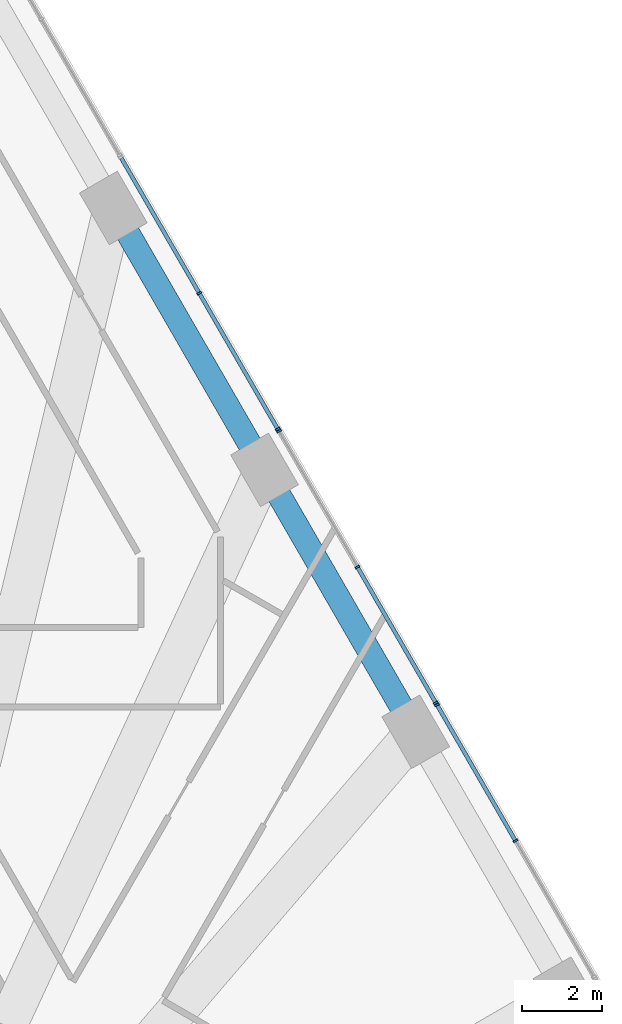
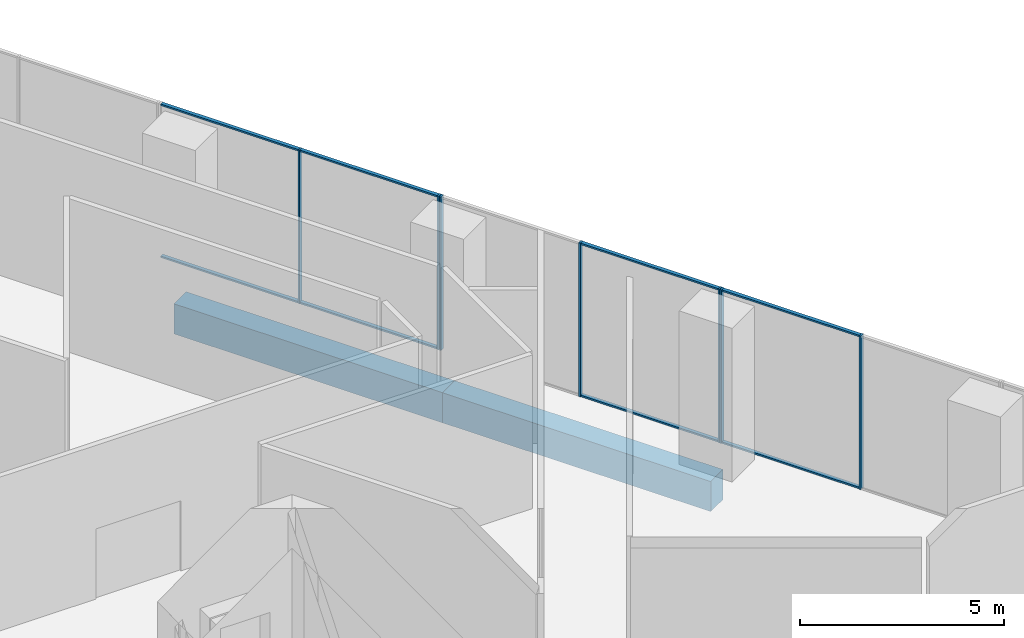
# One storey, part 17 of 32: 15 members, 2 beams, 3 elements without a shape of their own.
"""IFC4 building model written with IfcOpenShell, lengths in metres."""

from ifc_helpers import new_model, si_unit, direction, frame, origin, origin_2d, place, context, subcontext, project, spatial, rectangle, extrude, material, layer, layer_set, material_profile, profile_set, type_object, element, aggregate, save


model = new_model("IFC4")

# Units and contexts
model_context = context("Model", 3, precision=1e-05, world=origin(), true_north=direction((0.0, 1.0)))
body_context = subcontext(model_context, "Body", "Model", "MODEL_VIEW")
ifc_project = project(units=[si_unit("LENGTHUNIT", "METRE"), si_unit("AREAUNIT", "SQUARE_METRE"), si_unit("VOLUMEUNIT", "CUBIC_METRE"), si_unit("PLANEANGLEUNIT", "RADIAN"), si_unit("MASSUNIT", "GRAM", prefix="KILO")], contexts=[model_context])

# Site, building, storey
site_placement = place(None, origin())
site = spatial("IfcSite", under=ifc_project, at=site_placement, CompositionType="ELEMENT")
building_placement = place(site_placement, origin())
building = spatial("IfcBuilding", under=site, at=building_placement, Name="Triada Interchange Tower", CompositionType="ELEMENT")
storey_placement = place(building_placement, frame((0.0, 0.0, 25.300048828125)))
storey = spatial("IfcBuildingStorey", under=building, at=storey_placement, Name="L04", CompositionType="ELEMENT", Elevation=25.300048828125)

# Curtain wall, members
ifc_material_1 = material(Name="Aluminium framed glazing", Category="aluminium")
ifc_layer = layer(ifc_material_1, 0.199951171875)
ifc_layer_set = layer_set([ifc_layer], Name="Curtain wall Winter garden glazing")
curtain_wall_type = type_object("IfcCurtainWallType", Name="Curtain wall Winter garden glazing", PredefinedType="NOTDEFINED", material=ifc_layer_set)
curtain_wall_1_placement = place(storey_placement, origin())
curtain_wall_1 = element("IfcCurtainWall", 1, at=curtain_wall_1_placement, inside=storey, type_object=curtain_wall_type, Name="Winter garden glazing CW016 L04", PredefinedType="NOTDEFINED")
ifc_material_2 = material(Name="Aluminium", Category="aluminium")
ifc_material_profile_1 = material_profile(ifc_material_2, rectangle(XDim=0.1201171875, YDim=0.050048828125, at=origin_2d()), Name="Aluminium mullion")
ifc_profile_set_1 = profile_set([ifc_material_profile_1], Name="Aluminium")
member_type_1 = type_object("IfcMemberType", Name="Mullion Winter garden glazing 120x50", PredefinedType="MULLION", material=ifc_profile_set_1)
member_1_placement = place(storey_placement, frame((17.41259765625, 14.640380859375, 0.0), z_axis=(0.0, 0.0, 1.0), x_axis=(-0.866086968603, -0.499893351442, 0.0)))
member_1 = element("IfcMember", 2, at=member_1_placement, type_object=member_type_1, Name="CW016 mullion 2", PredefinedType="MULLION", context=body_context, shape_type="SweptSolid", body=[
    extrude(rectangle(XDim=0.1201171875, YDim=0.050048828125, at=origin_2d()), origin(), (0.0, 0.0, 1.0), 4.599853515625),
])
member_2_placement = place(storey_placement, frame((15.44140625, 18.055419921875, 0.0), z_axis=(0.0, 0.0, 1.0), x_axis=(-0.866086968603, -0.499893351442, 0.0)))
member_2 = element("IfcMember", 3, at=member_2_placement, type_object=member_type_1, Name="CW016 mullion 3", PredefinedType="MULLION", context=body_context, shape_type="SweptSolid", body=[
    extrude(rectangle(XDim=0.1201171875, YDim=0.050048828125, at=origin_2d()), origin(), (0.0, 0.0, 1.0), 4.599853515625),
])

curtain_wall_2_placement = place(storey_placement, origin())
curtain_wall_2 = element("IfcCurtainWall", 4, at=curtain_wall_2_placement, inside=storey, type_object=curtain_wall_type, Name="Winter garden glazing CW017 L04", PredefinedType="NOTDEFINED")
member_3_placement = place(storey_placement, frame((15.410400390625, 18.107666015625, 0.0), z_axis=(0.0, 0.0, 1.0), x_axis=(-0.866055473648, -0.499947913852, 0.0)))
member_3 = element("IfcMember", 5, at=member_3_placement, type_object=member_type_1, Name="CW017 mullion 1", PredefinedType="MULLION", context=body_context, shape_type="SweptSolid", body=[
    extrude(rectangle(XDim=0.1201171875, YDim=0.050048828125, at=origin_2d()), origin(), (0.0, 0.0, 1.0), 4.599853515625),
])
member_4_placement = place(storey_placement, frame((13.439453125, 21.52197265625, 0.0), z_axis=(0.0, 0.0, 1.0), x_axis=(-0.866055473648, -0.499947913852, 0.0)))
member_4 = element("IfcMember", 6, at=member_4_placement, type_object=member_type_1, Name="CW017 mullion 2", PredefinedType="MULLION", context=body_context, shape_type="SweptSolid", body=[
    extrude(rectangle(XDim=0.1201171875, YDim=0.050048828125, at=origin_2d()), origin(), (0.0, 0.0, 1.0), 4.599853515625),
])
member_5_placement = place(storey_placement, frame((11.468505859375, 24.936279296875, 0.0), z_axis=(0.0, 0.0, 1.0), x_axis=(-0.866055473648, -0.499947913852, 0.0)))
member_5 = element("IfcMember", 7, at=member_5_placement, type_object=member_type_1, Name="CW017 mullion 3", PredefinedType="MULLION", context=body_context, shape_type="SweptSolid", body=[
    extrude(rectangle(XDim=0.1201171875, YDim=0.050048828125, at=origin_2d()), origin(), (0.0, 0.0, 1.0), 4.599853515625),
])

curtain_wall_3_placement = place(storey_placement, origin())
curtain_wall_3 = element("IfcCurtainWall", 8, at=curtain_wall_3_placement, inside=storey, type_object=curtain_wall_type, Name="Winter garden glazing CW018 L04", PredefinedType="NOTDEFINED")
member_6_placement = place(storey_placement, frame((11.4375, 24.98876953125, 0.0), z_axis=(0.0, 0.0, 1.0), x_axis=(-0.866055473648, -0.499947913852, 0.0)))
member_6 = element("IfcMember", 9, at=member_6_placement, type_object=member_type_1, Name="CW018 mullion 1", PredefinedType="MULLION", context=body_context, shape_type="SweptSolid", body=[
    extrude(rectangle(XDim=0.1201171875, YDim=0.050048828125, at=origin_2d()), origin(), (0.0, 0.0, 1.0), 4.599853515625),
])
member_7_placement = place(storey_placement, frame((9.466552734375, 28.403076171875, 0.0), z_axis=(0.0, 0.0, 1.0), x_axis=(-0.866055473648, -0.499947913852, 0.0)))
member_7 = element("IfcMember", 10, at=member_7_placement, type_object=member_type_1, Name="CW018 mullion 2", PredefinedType="MULLION", context=body_context, shape_type="SweptSolid", body=[
    extrude(rectangle(XDim=0.1201171875, YDim=0.050048828125, at=origin_2d()), origin(), (0.0, 0.0, 1.0), 4.599853515625),
])

# Beams
ifc_material_3 = material(Name="Concrete C50/60", Category="concrete")
ifc_material_profile_2 = material_profile(ifc_material_3, rectangle(XDim=0.60009765625, YDim=0.89990234375, at=origin_2d()), Name="RC 600x900")
ifc_profile_set_2 = profile_set([ifc_material_profile_2], Name="Concrete C50/60")
beam_type = type_object("IfcBeamType", Name="Spandrel beam P RC 600x900", PredefinedType="BEAM", material=ifc_profile_set_2)
beam_1_placement = place(storey_placement, frame((14.906005859375, 17.381103515625, -0.85009765625), z_axis=(-0.500060803479, 0.865990296034, 0.0), x_axis=(-0.865990296034, -0.500060803479, 0.0)))
element("IfcBeam", 11, at=beam_1_placement, inside=storey, type_object=beam_type, Name="Spandrel beam EP26 L04", PredefinedType="BEAM", context=body_context, shape_type="SweptSolid", body=[
    extrude(rectangle(XDim=0.60009765625, YDim=0.89990234375, at=origin_2d()), origin(), (0.0, 0.0, 1.0), 7.59912109375),
])
beam_2_placement = place(storey_placement, frame((11.10595703125, 23.9619140625, -0.85009765625), z_axis=(-0.499894869559, 0.866086092366, 0.0), x_axis=(-0.866086092366, -0.499894869559, 0.0)))
element("IfcBeam", 12, at=beam_2_placement, inside=storey, type_object=beam_type, Name="Spandrel beam EP27 L04", PredefinedType="BEAM", context=body_context, shape_type="SweptSolid", body=[
    extrude(rectangle(XDim=0.60009765625, YDim=0.89990234375, at=origin_2d()), origin(), (0.0, 0.0, 1.0), 7.599853515625),
])

# Member
ifc_material_profile_3 = material_profile(ifc_material_2, rectangle(XDim=0.10009765625, YDim=0.050048828125, at=origin_2d()), Name="Aluminium transom")
ifc_profile_set_3 = profile_set([ifc_material_profile_3], Name="Aluminium")
member_type_2 = type_object("IfcMemberType", Name="Transom Winter garden glazing 100x50", PredefinedType="USERDEFINED", material=ifc_profile_set_3)
member_8_placement = place(storey_placement, frame((17.39990234375, 14.662109375, 0.02490234375), z_axis=(-0.499849133735, 0.866112488944, 0.0), x_axis=(-0.866112488944, -0.499849133735, 0.0)))
member_8 = element("IfcMember", 13, at=member_8_placement, type_object=member_type_2, Name="CW016 transom 2.1", ObjectType="TRANSOM", PredefinedType="USERDEFINED", context=body_context, shape_type="SweptSolid", body=[
    extrude(rectangle(XDim=0.10009765625, YDim=0.050048828125, at=origin_2d()), origin(), (0.0, 0.0, 1.0), 3.892822265625),
])

member_9_placement = place(storey_placement, frame((17.39990234375, 14.662109375, 4.574951171875), z_axis=(-0.499849133735, 0.866112488944, 0.0), x_axis=(-0.866112488944, -0.499849133735, 0.0)))
member_9 = element("IfcMember", 14, at=member_9_placement, type_object=member_type_2, Name="CW016 transom 2.2", ObjectType="TRANSOM", PredefinedType="USERDEFINED", context=body_context, shape_type="SweptSolid", body=[
    extrude(rectangle(XDim=0.10009765625, YDim=0.050048828125, at=origin_2d()), origin(), (0.0, 0.0, 1.0), 3.892822265625),
])

aggregate(curtain_wall_1, [member_1, member_2, member_8, member_9])

member_10_placement = place(storey_placement, frame((15.39794921875, 18.12939453125, 0.02490234375), z_axis=(-0.499977646359, 0.866038309281, 0.0), x_axis=(-0.866038309281, -0.499977646359, 0.0)))
member_10 = element("IfcMember", 15, at=member_10_placement, type_object=member_type_2, Name="CW017 transom 1.1", ObjectType="TRANSOM", PredefinedType="USERDEFINED", context=body_context, shape_type="SweptSolid", body=[
    extrude(rectangle(XDim=0.10009765625, YDim=0.050048828125, at=origin_2d()), origin(), (0.0, 0.0, 1.0), 3.892333984375),
])

member_11_placement = place(storey_placement, frame((15.39794921875, 18.12939453125, 4.574951171875), z_axis=(-0.499977646359, 0.866038309281, 0.0), x_axis=(-0.866038309281, -0.499977646359, 0.0)))
member_11 = element("IfcMember", 16, at=member_11_placement, type_object=member_type_2, Name="CW017 transom 1.2", ObjectType="TRANSOM", PredefinedType="USERDEFINED", context=body_context, shape_type="SweptSolid", body=[
    extrude(rectangle(XDim=0.10009765625, YDim=0.050048828125, at=origin_2d()), origin(), (0.0, 0.0, 1.0), 3.892333984375),
])

aggregate(curtain_wall_2, [member_3, member_4, member_5, member_10, member_11])

member_12_placement = place(storey_placement, frame((11.425048828125, 25.01025390625, 0.02490234375), z_axis=(-0.499950487857, 0.866053987747, 0.0), x_axis=(-0.866053987747, -0.499950487857, 0.0)))
member_12 = element("IfcMember", 17, at=member_12_placement, type_object=member_type_2, Name="CW018 transom 1.1", ObjectType="TRANSOM", PredefinedType="USERDEFINED", context=body_context, shape_type="SweptSolid", body=[
    extrude(rectangle(XDim=0.10009765625, YDim=0.050048828125, at=origin_2d()), origin(), (0.0, 0.0, 1.0), 3.892578125),
])

member_13_placement = place(storey_placement, frame((11.425048828125, 25.01025390625, 4.574951171875), z_axis=(-0.499950487857, 0.866053987747, 0.0), x_axis=(-0.866053987747, -0.499950487857, 0.0)))
member_13 = element("IfcMember", 18, at=member_13_placement, type_object=member_type_2, Name="CW018 transom 1.2", ObjectType="TRANSOM", PredefinedType="USERDEFINED", context=body_context, shape_type="SweptSolid", body=[
    extrude(rectangle(XDim=0.10009765625, YDim=0.050048828125, at=origin_2d()), origin(), (0.0, 0.0, 1.0), 3.892578125),
])

member_14_placement = place(storey_placement, frame((9.4541015625, 28.424560546875, 0.02490234375), z_axis=(-0.499950487857, 0.866053987747, 0.0), x_axis=(-0.866053987747, -0.499950487857, 0.0)))
member_14 = element("IfcMember", 19, at=member_14_placement, type_object=member_type_2, Name="CW018 transom 2.1", ObjectType="TRANSOM", PredefinedType="USERDEFINED", context=body_context, shape_type="SweptSolid", body=[
    extrude(rectangle(XDim=0.10009765625, YDim=0.050048828125, at=origin_2d()), origin(), (0.0, 0.0, 1.0), 3.892578125),
])

member_15_placement = place(storey_placement, frame((9.4541015625, 28.424560546875, 4.574951171875), z_axis=(-0.499950487857, 0.866053987747, 0.0), x_axis=(-0.866053987747, -0.499950487857, 0.0)))
member_15 = element("IfcMember", 20, at=member_15_placement, type_object=member_type_2, Name="CW018 transom 2.2", ObjectType="TRANSOM", PredefinedType="USERDEFINED", context=body_context, shape_type="SweptSolid", body=[
    extrude(rectangle(XDim=0.10009765625, YDim=0.050048828125, at=origin_2d()), origin(), (0.0, 0.0, 1.0), 3.892578125),
])

aggregate(curtain_wall_3, [member_6, member_7, member_12, member_13, member_14, member_15])

save(model, "model.ifc")
